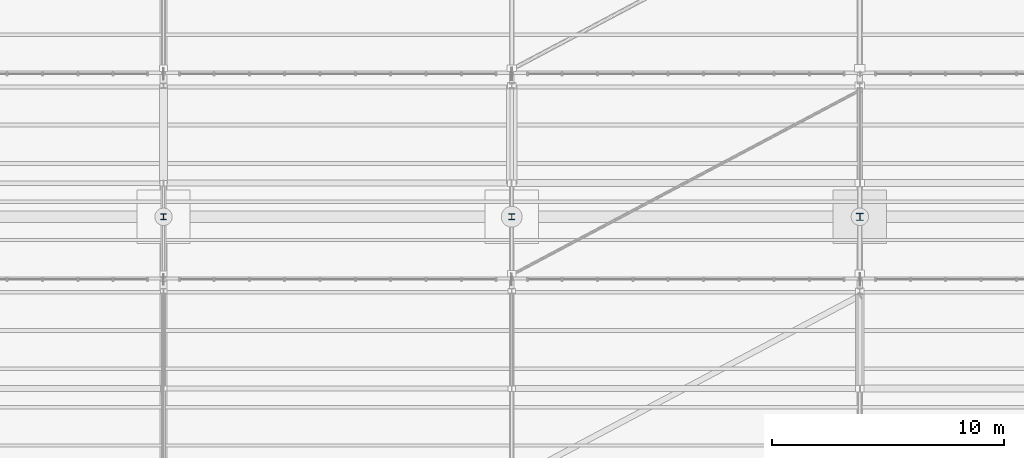
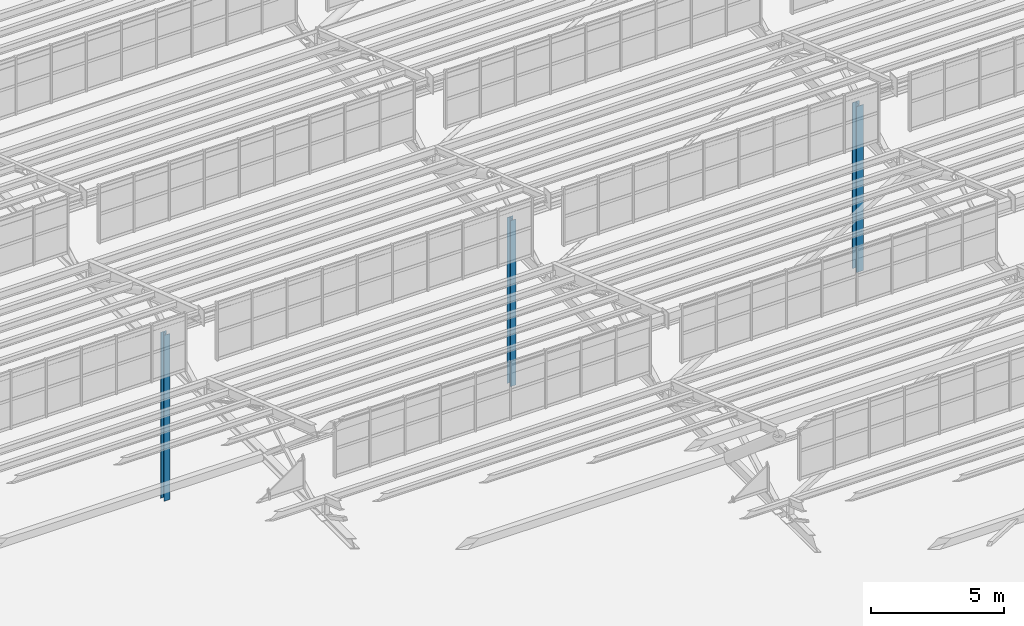
# One storey, part 23 of 285: 3 columns.
"""IFC4 building model written with IfcOpenShell, lengths in metres."""

from ifc_helpers import new_model, si_unit, direction, frame, origin, origin_2d, place, context, subcontext, project, spatial, i_section, extrude, material, material_profile, profile_set, type_object, element, save


model = new_model("IFC4")

# Units and contexts
model_context = context("Model", 3, precision=1e-05, world=origin(), true_north=direction((0.0, 1.0)))
body_context = subcontext(model_context, "Body", "Model", "MODEL_VIEW")
ifc_project = project(units=[si_unit("LENGTHUNIT", "METRE"), si_unit("AREAUNIT", "SQUARE_METRE"), si_unit("VOLUMEUNIT", "CUBIC_METRE"), si_unit("PLANEANGLEUNIT", "RADIAN"), si_unit("MASSUNIT", "GRAM", prefix="KILO")], contexts=[model_context])

# Site, building, storey
site_placement = place(None, origin())
site = spatial("IfcSite", under=ifc_project, at=site_placement, CompositionType="ELEMENT")
building_placement = place(site_placement, origin())
building = spatial("IfcBuilding", under=site, at=building_placement, Name="Solanera Park Tramway Depot", CompositionType="ELEMENT")
storey_placement = place(building_placement, origin())
storey = spatial("IfcBuildingStorey", under=building, at=storey_placement, Name="L00", CompositionType="ELEMENT", Elevation=0.0)

# Columns
ifc_material_1 = material(Name="Steel AS/NZS 3679.1 Grade 350", Category="steel")
ifc_material_profile_1 = material_profile(ifc_material_1, i_section(OverallWidth=0.25390625, OverallDepth=0.25390625, WebThickness=0.008544921875, FlangeThickness=0.01416015625, at=origin_2d()), Name="250UC72.9")
ifc_profile_set_1 = profile_set([ifc_material_profile_1], Name="Steel AS/NZS 3679.1 Grade 350")
column_type_1 = type_object("IfcColumnType", Name="Steel Column Int 250UC72.9", PredefinedType="COLUMN", material=ifc_profile_set_1)
column_1_placement = place(storey_placement, frame((75.0, 85.0, 0.0), z_axis=(0.0, 0.0, 1.0), x_axis=(1.0, 0.0, 0.0)))
element("IfcColumn", 1, at=column_1_placement, inside=storey, type_object=column_type_1, Name="L00 Column V1-X750-Y850", PredefinedType="COLUMN", context=body_context, shape_type="SweptSolid", body=[
    extrude(i_section(OverallWidth=0.25390625, OverallDepth=0.25390625, WebThickness=0.008544921875, FlangeThickness=0.01416015625, at=origin_2d()), origin(), (0.0, 0.0, 1.0), 7.60009765625),
])
ifc_material_2 = material(Name="Steel AS/NZS 3679.1 Grade 350", Category="steel")
ifc_material_profile_2 = material_profile(ifc_material_2, i_section(OverallWidth=0.255615234375, OverallDepth=0.260009765625, WebThickness=0.010498046875, FlangeThickness=0.017333984375, at=origin_2d()), Name="250UC89.5")
ifc_profile_set_2 = profile_set([ifc_material_profile_2], Name="Steel AS/NZS 3679.1 Grade 350")
column_type_2 = type_object("IfcColumnType", Name="Steel Column Int 250UC89.5", PredefinedType="COLUMN", material=ifc_profile_set_2)
column_2_placement = place(storey_placement, frame((90.0, 85.0, 0.0), z_axis=(0.0, 0.0, 1.0), x_axis=(1.0, 0.0, 0.0)))
element("IfcColumn", 2, at=column_2_placement, inside=storey, type_object=column_type_2, Name="L00 Column V1-X900-Y850", PredefinedType="COLUMN", context=body_context, shape_type="SweptSolid", body=[
    extrude(i_section(OverallWidth=0.255615234375, OverallDepth=0.260009765625, WebThickness=0.010498046875, FlangeThickness=0.017333984375, at=origin_2d()), origin(), (0.0, 0.0, 1.0), 7.60009765625),
])
ifc_material_3 = material(Name="Steel AS/NZS 3679.1 Grade 350", Category="steel")
ifc_material_profile_3 = material_profile(ifc_material_3, i_section(OverallWidth=0.306884765625, OverallDepth=0.314697265625, WebThickness=0.011962890625, FlangeThickness=0.018798828125, at=origin_2d()), Name="310UC118")
ifc_profile_set_3 = profile_set([ifc_material_profile_3], Name="Steel AS/NZS 3679.1 Grade 350")
column_type_3 = type_object("IfcColumnType", Name="Steel Column Int 310UC118", PredefinedType="COLUMN", material=ifc_profile_set_3)
column_3_placement = place(storey_placement, frame((105.0, 85.0, 0.0), z_axis=(0.0, 0.0, 1.0), x_axis=(1.0, 0.0, 0.0)))
element("IfcColumn", 3, at=column_3_placement, inside=storey, type_object=column_type_3, Name="L00 Column V1-X1050-Y850", PredefinedType="COLUMN", context=body_context, shape_type="SweptSolid", body=[
    extrude(i_section(OverallWidth=0.306884765625, OverallDepth=0.314697265625, WebThickness=0.011962890625, FlangeThickness=0.018798828125, at=origin_2d()), origin(), (0.0, 0.0, 1.0), 7.60009765625),
])

save(model, "model.ifc")
